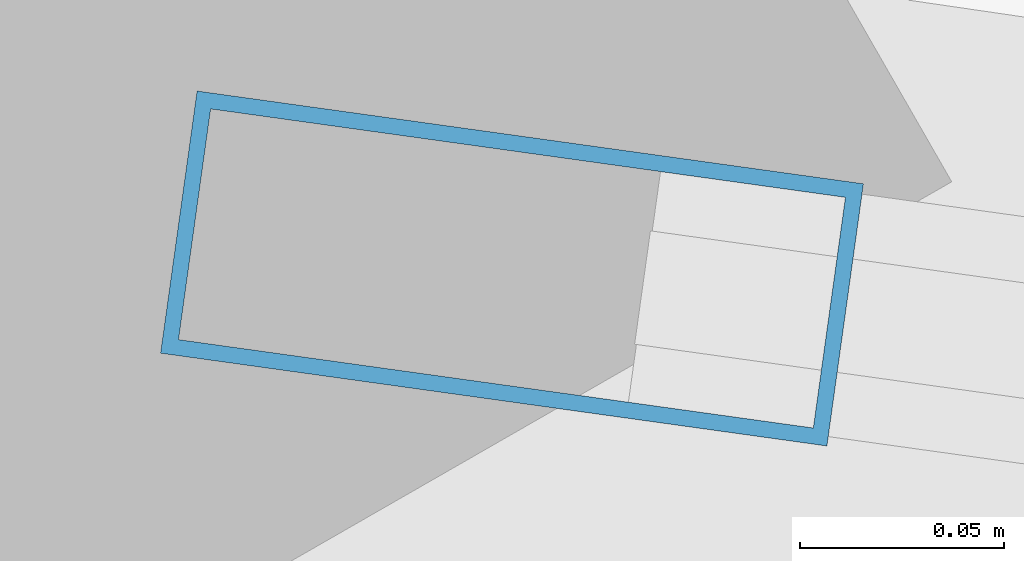
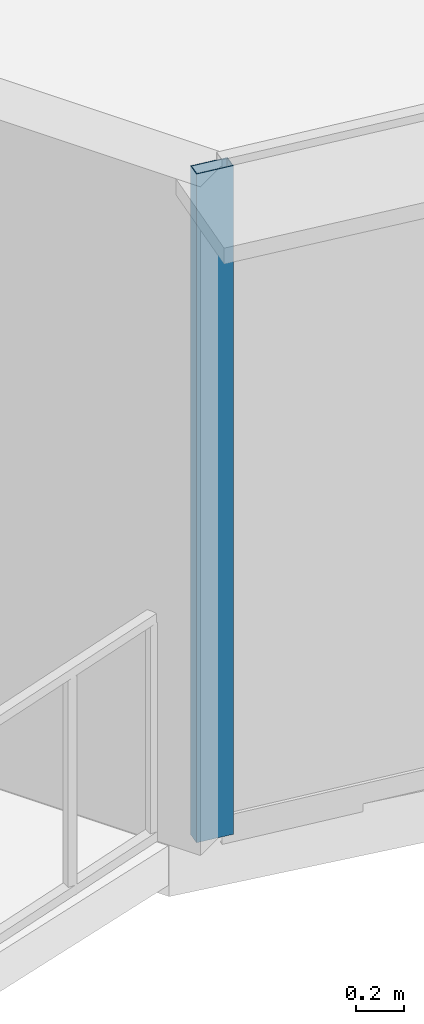
# One storey, part 2 of 37: 1 member, 1 element without a shape of its own.
"""IFC4 building model written with IfcOpenShell, lengths in metres."""

from ifc_helpers import new_model, si_unit, direction, frame, origin, origin_2d, place, context, subcontext, project, spatial, hollow_rectangle, extrude, source, transform, mapped, material, layer, layer_set, material_profile, profile_set, type_object, element, aggregate, save


model = new_model("IFC4")

# Units and contexts
model_context = context("Model", 3, precision=1e-05, world=origin(), true_north=direction((0.0, 1.0)))
body_context = subcontext(model_context, "Body", "Model", "MODEL_VIEW")
ifc_project = project(units=[si_unit("LENGTHUNIT", "METRE"), si_unit("AREAUNIT", "SQUARE_METRE"), si_unit("VOLUMEUNIT", "CUBIC_METRE"), si_unit("PLANEANGLEUNIT", "RADIAN"), si_unit("MASSUNIT", "GRAM", prefix="KILO"), si_unit("THERMODYNAMICTEMPERATUREUNIT", "KELVIN"), si_unit("POWERUNIT", "WATT")], contexts=[model_context])

# Site, building, storey
site_placement = place(None, origin())
site = spatial("IfcSite", under=ifc_project, at=site_placement, CompositionType="ELEMENT")
building_placement = place(site_placement, origin())
building = spatial("IfcBuilding", under=site, at=building_placement, Name="Yunzhuo Pagoda Commons", CompositionType="ELEMENT")
storey_placement = place(building_placement, frame((0.0, 0.0, 52.179931640625)))
storey = spatial("IfcBuildingStorey", under=building, at=storey_placement, Name="L13", CompositionType="ELEMENT", Elevation=52.179931640625)

# Curtain wall, member
ifc_material = material(Name="Anodized aluminium 6063-T6", Category="aluminium")
ifc_layer = layer(ifc_material, 0.1650390625)
ifc_layer_set = layer_set([ifc_layer], Name="Anodized aluminium 6063-T6")
curtain_wall_type = type_object("IfcCurtainWallType", Name="CW-LOW Low-Zone Ribbon Curtain Wall", PredefinedType="NOTDEFINED", material=ifc_layer_set)
curtain_wall_placement = place(storey_placement, origin())
curtain_wall = element("IfcCurtainWall", 1, at=curtain_wall_placement, inside=storey, type_object=curtain_wall_type, Name="L13 curtain wall CW-L13-F1B1", PredefinedType="NOTDEFINED")
ifc_material_profile = material_profile(ifc_material, hollow_rectangle(XDim=0.06494140625, YDim=0.1650390625, WallThickness=0.00390625, at=origin_2d()), Name="Anodized aluminium 6063-T6")
ifc_profile_set = profile_set([ifc_material_profile], Name="Anodized aluminium 6063-T6")
member_type = type_object("IfcMemberType", Name="CW-LOW-M Mullion RHS 165x65x4", PredefinedType="MULLION", material=ifc_profile_set)
shared_shape = source(origin(), body_context, "Body", "SweptSolid", [
    extrude(hollow_rectangle(XDim=0.06494140625, YDim=0.1650390625, WallThickness=0.00390625, at=origin_2d()), origin(), (0.0, 0.0, 1.0), 3.3701171875),
])
member_placement = place(storey_placement, frame((9.821044921875, 14.542236328125, 0.0), z_axis=(0.0, 0.0, 1.0), x_axis=(0.13790498569, 0.990445462871, 0.0)))
member = element("IfcMember", 2, at=member_placement, type_object=member_type, Name="CW mullion 1", PredefinedType="MULLION", context=body_context, shape_type="MappedRepresentation", body=[
    mapped(shared_shape, transform((0.0, 0.0, 0.0), scale=1.0)),
])
aggregate(curtain_wall, [member])

save(model, "model.ifc")
